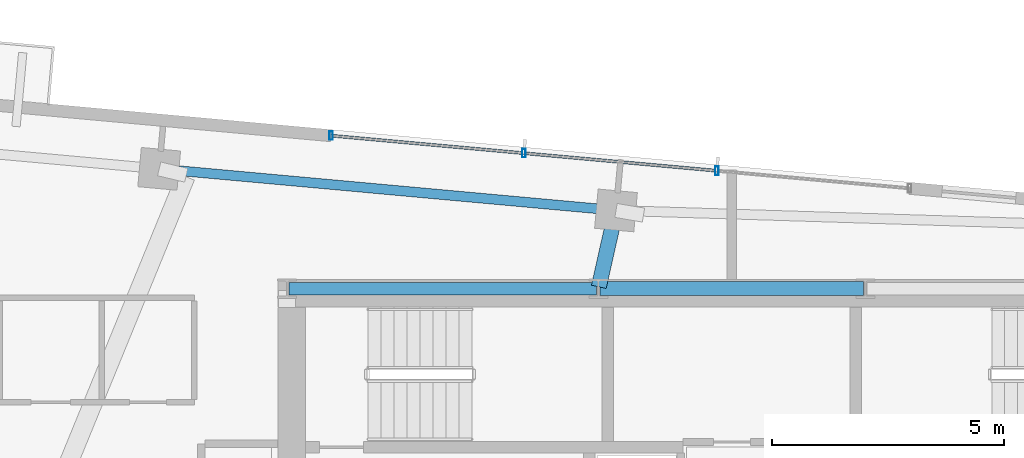
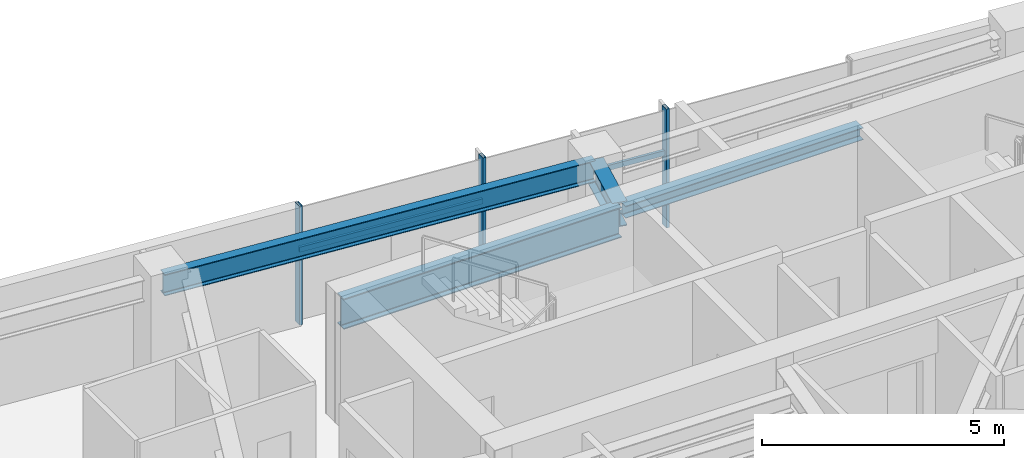
# One storey, part 10 of 22: 5 members, 4 beams, 1 element without a shape of its own.
"""IFC4 building model written with IfcOpenShell, lengths in metres."""

from ifc_helpers import new_model, si_unit, direction, frame, origin, origin_2d, place, context, subcontext, project, spatial, hollow_rectangle, i_section, extrude, source, transform, mapped, material, material_profile, profile_set, type_object, type_shapes, element, aggregate, save


model = new_model("IFC4")

# Units and contexts
model_context = context("Model", 3, precision=1e-05, world=origin(), true_north=direction((0.0, 1.0)))
body_context = subcontext(model_context, "Body", "Model", "MODEL_VIEW")
ifc_project = project(units=[si_unit("LENGTHUNIT", "METRE"), si_unit("AREAUNIT", "SQUARE_METRE"), si_unit("VOLUMEUNIT", "CUBIC_METRE"), si_unit("PLANEANGLEUNIT", "RADIAN"), si_unit("MASSUNIT", "GRAM", prefix="KILO")], contexts=[model_context])

# Site, building, storey
site_placement = place(None, origin())
site = spatial("IfcSite", under=ifc_project, at=site_placement, CompositionType="ELEMENT")
building_placement = place(site_placement, origin())
building = spatial("IfcBuilding", under=site, at=building_placement, Name="Astriad Promenade Condominiums", CompositionType="ELEMENT")
storey_placement = place(building_placement, frame((0.0, 0.0, 256.199951171875)))
storey = spatial("IfcBuildingStorey", under=building, at=storey_placement, Name="L74", CompositionType="ELEMENT", Elevation=256.199951171875)

# Beams
ifc_material_1 = material(Name="Steel ASTM A992 Grade 50", Category="steel")
ifc_material_profile_1 = material_profile(ifc_material_1, i_section(OverallWidth=0.267822265625, OverallDepth=0.76953125, WebThickness=0.015625, FlangeThickness=0.025390625, FilletRadius=0.021484375, at=origin_2d()), Name="W30X132")
ifc_profile_set_1 = profile_set([ifc_material_profile_1], Name="Steel ASTM A992 Grade 50")
beam_type_1 = type_object("IfcBeamType", Name="STEEL FLOOR GIRDER W30X132", PredefinedType="BEAM", material=ifc_profile_set_1)
shared_shape_1 = source(origin(), body_context, "Body", "SweptSolid", [
    extrude(i_section(OverallWidth=0.267822265625, OverallDepth=0.76953125, WebThickness=0.015625, FlangeThickness=0.025390625, FilletRadius=0.021484375, at=origin_2d()), origin(), (0.0, 0.0, 1.0), 6.64013671875),
])
type_shapes(beam_type_1, [shared_shape_1])
beam_1_placement = place(storey_placement, frame((26.43994140625, 24.0, 2.615234375), z_axis=(1.0, 0.0, 0.0), x_axis=(0.0, 1.0, 0.0)))
element("IfcBeam", 1, at=beam_1_placement, inside=storey, type_object=beam_type_1, Name="Core Ring Beam CG-N1-L74", PredefinedType="BEAM", context=body_context, shape_type="MappedRepresentation", body=[
    mapped(shared_shape_1, transform((0.0, 0.0, 0.0), scale=1.0)),
])
ifc_material_profile_2 = material_profile(ifc_material_1, i_section(OverallWidth=0.3046875, OverallDepth=0.307861328125, WebThickness=0.010009765625, FlangeThickness=0.015380859375, FilletRadius=0.01513671875, at=origin_2d()), Name="W12X65")
ifc_profile_set_2 = profile_set([ifc_material_profile_2], Name="Steel ASTM A992 Grade 50")
beam_type_2 = type_object("IfcBeamType", Name="STEEL OPENING LINTEL W12X65", PredefinedType="LINTEL", material=ifc_profile_set_2)
shared_shape_2 = source(origin(), body_context, "Body", "SweptSolid", [
    extrude(i_section(OverallWidth=0.3046875, OverallDepth=0.307861328125, WebThickness=0.010009765625, FlangeThickness=0.015380859375, FilletRadius=0.01513671875, at=origin_2d()), origin(), (0.0, 0.0, 1.0), 5.68017578125),
])
type_shapes(beam_type_2, [shared_shape_2])
beam_2_placement = place(storey_placement, frame((33.159912109375, 24.0, 2.84619140625), z_axis=(1.0, 0.0, 0.0), x_axis=(0.0, 1.0, 0.0)))
element("IfcBeam", 2, at=beam_2_placement, inside=storey, type_object=beam_type_2, Name="Core Ring Beam CG-N2-L74", PredefinedType="LINTEL", context=body_context, shape_type="MappedRepresentation", body=[
    mapped(shared_shape_2, transform((0.0, 0.0, 0.0), scale=1.0)),
])
ifc_material_profile_3 = material_profile(ifc_material_1, i_section(OverallWidth=0.210693359375, OverallDepth=0.53955078125, WebThickness=0.01171875, FlangeThickness=0.018798828125, FilletRadius=0.0166015625, at=origin_2d()), Name="W21X73")
ifc_profile_set_3 = profile_set([ifc_material_profile_3], Name="Steel ASTM A992 Grade 50")
beam_type_3 = type_object("IfcBeamType", Name="STEEL SPANDREL BEAM W21X73", PredefinedType="SPANDREL", material=ifc_profile_set_3)
shared_shape_3 = source(origin(), body_context, "Body", "SweptSolid", [
    extrude(i_section(OverallWidth=0.210693359375, OverallDepth=0.53955078125, WebThickness=0.01171875, FlangeThickness=0.018798828125, FilletRadius=0.0166015625, at=origin_2d()), origin(), (0.0, 0.0, 1.0), 9.820068359375),
])
type_shapes(beam_type_3, [shared_shape_3])
beam_3_placement = place(storey_placement, frame((33.4599609375, 25.69189453125, 2.73046875), z_axis=(-0.995885663174, 0.090618683965, 0.0), x_axis=(-0.090618683965, -0.995885663174, 0.0)))
element("IfcBeam", 3, at=beam_3_placement, inside=storey, type_object=beam_type_3, Name="Perimeter Spandrel Beam SP-N2-L74", PredefinedType="SPANDREL", context=body_context, shape_type="MappedRepresentation", body=[
    mapped(shared_shape_3, transform((0.0, 0.0, 0.0), scale=1.0)),
])
ifc_material_profile_4 = material_profile(ifc_material_1, i_section(OverallWidth=0.326416015625, OverallDepth=0.621826171875, WebThickness=0.015380859375, FlangeThickness=0.0244140625, FilletRadius=0.017822265625, at=origin_2d()), Name="W24X131")
ifc_profile_set_4 = profile_set([ifc_material_profile_4], Name="Steel ASTM A992 Grade 50")
beam_type_4 = type_object("IfcBeamType", Name="STEEL FLOOR GIRDER W24X131", PredefinedType="BEAM", material=ifc_profile_set_4)
shared_shape_4 = source(origin(), body_context, "Body", "SweptSolid", [
    extrude(i_section(OverallWidth=0.326416015625, OverallDepth=0.621826171875, WebThickness=0.015380859375, FlangeThickness=0.0244140625, FilletRadius=0.017822265625, at=origin_2d()), origin(), (0.0, 0.0, 1.0), 1.650390625),
])
type_shapes(beam_type_4, [shared_shape_4])
beam_4_placement = place(storey_placement, frame((33.490966796875, 25.649169921875, 2.689208984375), z_axis=(-0.219388986766, -0.975637469804, 0.0), x_axis=(0.975637469804, -0.219388986766, 0.0)))
element("IfcBeam", 4, at=beam_4_placement, inside=storey, type_object=beam_type_4, Name="Primary Floor Girder PG-NC-L74", PredefinedType="BEAM", context=body_context, shape_type="MappedRepresentation", body=[
    mapped(shared_shape_4, transform((0.0, 0.0, 0.0), scale=1.0)),
])

# Curtain wall, members
ifc_material_2 = material(Name="Anodised aluminium Black Dark Glass Unitised", Category="aluminium")
curtain_wall_type = type_object("IfcCurtainWallType", Name="CW-B5-DARK", PredefinedType="USERDEFINED", material=ifc_material_2)
curtain_wall_placement = place(storey_placement, origin())
curtain_wall = element("IfcCurtainWall", 5, at=curtain_wall_placement, inside=storey, type_object=curtain_wall_type, Name="CW-L74-N", ObjectType="UNITISED_CURTAIN_WALL", PredefinedType="USERDEFINED")
ifc_material_3 = material(Name="Anodised aluminium 6063-T6 Black", Category="aluminium")
ifc_material_profile_5 = material_profile(ifc_material_3, hollow_rectangle(XDim=0.06494140625, YDim=0.1298828125, WallThickness=0.00390625, at=origin_2d()), Name="ALU-TRN-65X130")
ifc_profile_set_5 = profile_set([ifc_material_profile_5], Name="Anodised aluminium 6063-T6 Black")
member_type_1 = type_object("IfcMemberType", Name="TRN-ALU-TRN-65X130", PredefinedType="USERDEFINED", material=ifc_profile_set_5)
shared_shape_5 = source(origin(), body_context, "Body", "SweptSolid", [
    extrude(hollow_rectangle(XDim=0.06494140625, YDim=0.1298828125, WallThickness=0.00390625, at=origin_2d()), origin(), (0.0, 0.0, 1.0), 4.179931640625),
])
type_shapes(member_type_1, [shared_shape_5])
member_1_placement = place(storey_placement, frame((27.3505859375, 27.30224609375, 1.860107421875), z_axis=(0.995883146811, -0.090646334165, 0.0), x_axis=(0.090646334165, 0.995883146811, 0.0)))
member_1 = element("IfcMember", 6, at=member_1_placement, type_object=member_type_1, Name="CW-L74-N-TRN-00-0", ObjectType="TRANSOM", PredefinedType="USERDEFINED", context=body_context, shape_type="MappedRepresentation", body=[
    mapped(shared_shape_5, transform((0.0, 0.0, 0.0), scale=1.0)),
])
member_2_placement = place(storey_placement, frame((31.513427734375, 26.92333984375, 1.860107421875), z_axis=(0.995883146811, -0.090646334165, 0.0), x_axis=(0.090646334165, 0.995883146811, 0.0)))
member_2 = element("IfcMember", 7, at=member_2_placement, type_object=member_type_1, Name="CW-L74-N-TRN-01-0", ObjectType="TRANSOM", PredefinedType="USERDEFINED", context=body_context, shape_type="MappedRepresentation", body=[
    mapped(shared_shape_5, transform((0.0, 0.0, 0.0), scale=1.0)),
])
ifc_material_profile_6 = material_profile(ifc_material_3, hollow_rectangle(XDim=0.074951171875, YDim=0.18505859375, WallThickness=0.00439453125, at=origin_2d()), Name="ALU-MUL-75X185")
ifc_profile_set_6 = profile_set([ifc_material_profile_6], Name="Anodised aluminium 6063-T6 Black")
member_type_2 = type_object("IfcMemberType", Name="MUL-ALU-MUL-75X185", PredefinedType="MULLION", material=ifc_profile_set_6)
shared_shape_6 = source(origin(), body_context, "Body", "SweptSolid", [
    extrude(hollow_rectangle(XDim=0.074951171875, YDim=0.18505859375, WallThickness=0.00439453125, at=origin_2d()), origin(), (0.0, 0.0, 1.0), 3.0),
])
type_shapes(member_type_2, [shared_shape_6])
member_3_placement = place(storey_placement, frame((27.3505859375, 27.30224609375, 0.0), z_axis=(0.0, 0.0, 1.0), x_axis=(1.0, 0.0, 0.0)))
member_3 = element("IfcMember", 8, at=member_3_placement, type_object=member_type_2, Name="CW-L74-N-MUL-00", PredefinedType="MULLION", context=body_context, shape_type="MappedRepresentation", body=[
    mapped(shared_shape_6, transform((0.0, 0.0, 0.0), scale=1.0)),
])
member_4_placement = place(storey_placement, frame((31.513427734375, 26.92333984375, 0.0), z_axis=(0.0, 0.0, 1.0), x_axis=(1.0, 0.0, 0.0)))
member_4 = element("IfcMember", 9, at=member_4_placement, type_object=member_type_2, Name="CW-L74-N-MUL-01", PredefinedType="MULLION", context=body_context, shape_type="MappedRepresentation", body=[
    mapped(shared_shape_6, transform((0.0, 0.0, 0.0), scale=1.0)),
])
member_5_placement = place(storey_placement, frame((35.67626953125, 26.54443359375, 0.0), z_axis=(0.0, 0.0, 1.0), x_axis=(1.0, 0.0, 0.0)))
member_5 = element("IfcMember", 10, at=member_5_placement, type_object=member_type_2, Name="CW-L74-N-MUL-02", PredefinedType="MULLION", context=body_context, shape_type="MappedRepresentation", body=[
    mapped(shared_shape_6, transform((0.0, 0.0, 0.0), scale=1.0)),
])
aggregate(curtain_wall, [member_3, member_4, member_5, member_1, member_2])

save(model, "model.ifc")
